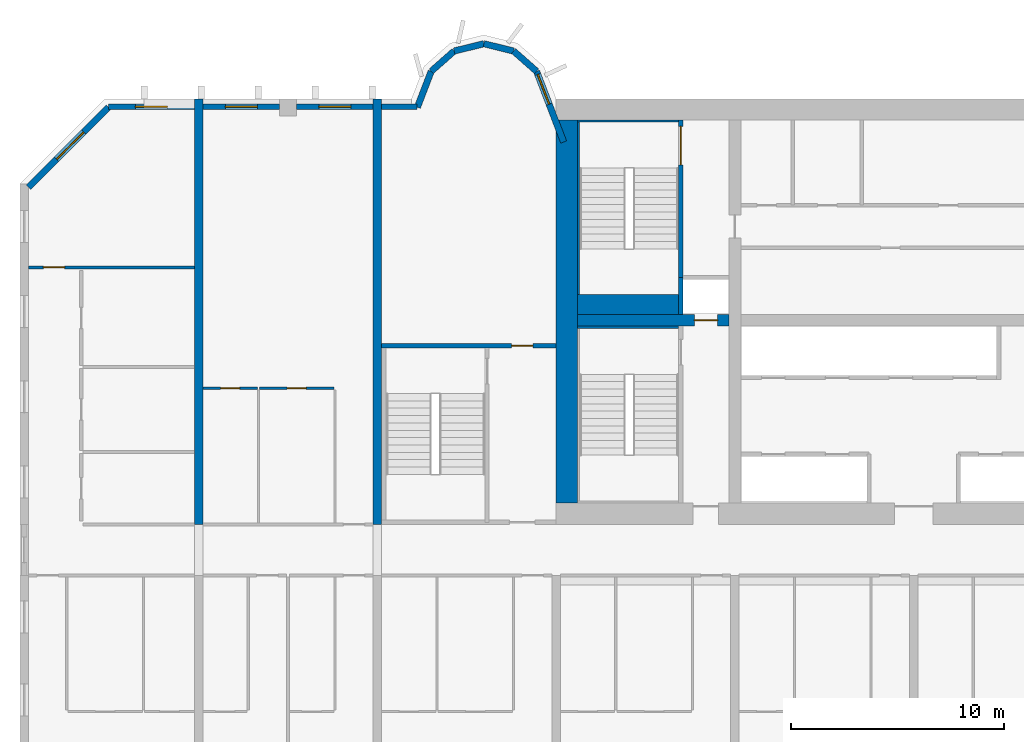
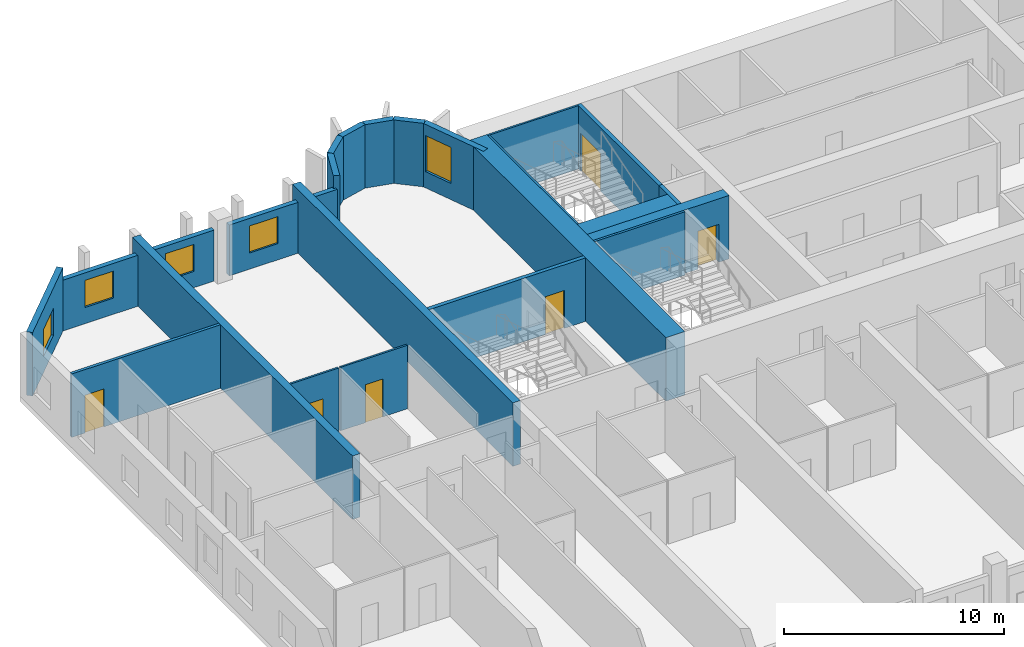
# One storey, part 6 of 15: 25 walls, 6 doors, 5 windows, 11 openings.
"""IFC4 building model written with IfcOpenShell, lengths in metres."""

import ifcopenshell
import ifcopenshell.guid

model = None  # the IFC model being written
_history = None  # IfcOwnerHistory: only IFC2X3 demands one
_inside = {}  # id of a spatial element -> (the spatial element, [elements in it])
_under = {}  # id of a project, library or spatial element -> (it, [spatial elements below it])
_declared = {}  # id of a project -> (the project, [libraries it declares])
_typed = {}  # id of a type object -> (the type object, [elements of that type])
_made_of = {}  # id of a material, layer set ... -> (it, [elements and type objects made of it])


def new_model(schema):
    """Start an empty IFC model of exactly this schema.

    Asked for "IFC4X3", IfcOpenShell would pick the latest addendum, in which some entities
    have other attributes; the version numbers below select the first issue.
    IFC2X3 requires an IfcOwnerHistory on every rooted entity: one is made here for all.
    """
    global model, _history
    if schema == "IFC4X3":
        model = ifcopenshell.file(schema_version=(4, 3, 0, 0))
    else:
        model = ifcopenshell.file(schema=schema)
    _inside.clear()
    _under.clear()
    _declared.clear()
    _typed.clear()
    _made_of.clear()
    _history = None
    if model.schema == "IFC2X3":
        org = make("IfcOrganization", Name="unknown")
        user = make(
            "IfcPersonAndOrganization",
            ThePerson=make("IfcPerson", FamilyName="unknown"),
            TheOrganization=org,
        )
        app = make(
            "IfcApplication",
            ApplicationDeveloper=org,
            Version="unknown",
            ApplicationFullName="unknown",
            ApplicationIdentifier="unknown",
        )
        _history = make(
            "IfcOwnerHistory",
            OwningUser=user,
            OwningApplication=app,
            ChangeAction="ADDED",
            CreationDate=0,
        )
    return model


def make(cls, **values):
    """One entity of the class cls with the attributes given. An attribute that is None is left unset."""
    return model.create_entity(
        cls, **{name: value for name, value in values.items() if value is not None}
    )


def rooted(cls, **values):
    """An entity with a GlobalId (a new one), such as an element, a storey or a relation."""
    return make(cls, GlobalId=ifcopenshell.guid.new(), OwnerHistory=_history, **values)


def si_unit(unit_type, name, prefix=None):
    """IfcSIUnit, for example si_unit("LENGTHUNIT", "METRE", prefix="MILLI")."""
    return make("IfcSIUnit", UnitType=unit_type, Prefix=prefix, Name=name)


def assignment(units):
    """IfcUnitAssignment: the units of a project."""
    return None if units is None else make("IfcUnitAssignment", Units=units)


def point(xyz):
    """IfcCartesianPoint."""
    return None if xyz is None else make("IfcCartesianPoint", Coordinates=xyz)


def direction(xyz):
    """IfcDirection."""
    return None if xyz is None else make("IfcDirection", DirectionRatios=xyz)


def frame(location, z_axis=None, x_axis=None):
    """IfcAxis2Placement3D, a coordinate frame: its origin and axes. An axis left out is left unset."""
    return make(
        "IfcAxis2Placement3D",
        Location=point(location),
        Axis=direction(z_axis),
        RefDirection=direction(x_axis),
    )


def frame_2d(location, x_axis=None):
    """IfcAxis2Placement2D, a coordinate frame in the plane: its origin and x axis."""
    return make(
        "IfcAxis2Placement2D", Location=point(location), RefDirection=direction(x_axis)
    )


def origin():
    """The frame at (0, 0, 0) with its axes left unset."""
    return frame((0.0, 0.0, 0.0))


def place(relative_to, where):
    """IfcLocalPlacement: puts the frame where relative to a parent placement (None: the world)."""
    return make(
        "IfcLocalPlacement", PlacementRelTo=relative_to, RelativePlacement=where
    )


def context(
    kind, dimensions, precision=None, world=None, true_north=None, identifier=None
):
    """IfcGeometricRepresentationContext, for example the 3D "Model" context."""
    return make(
        "IfcGeometricRepresentationContext",
        ContextIdentifier=identifier,
        ContextType=kind,
        CoordinateSpaceDimension=dimensions,
        Precision=precision,
        WorldCoordinateSystem=world,
        TrueNorth=true_north,
    )


def subcontext(parent, identifier, kind, view, scale=None):
    """IfcGeometricRepresentationSubContext, for example "Body" below "Model"."""
    return make(
        "IfcGeometricRepresentationSubContext",
        ContextIdentifier=identifier,
        ContextType=kind,
        ParentContext=parent,
        TargetScale=scale,
        TargetView=view,
    )


def project(units=None, contexts=None):
    """IfcProject with its units and contexts."""
    return rooted(
        "IfcProject",
        Name="project",
        RepresentationContexts=contexts,
        UnitsInContext=assignment(units),
    )


def spatial(cls, under=None, at=None, **own):
    """A site, building, storey or space (cls), placed at a placement, below another one or the project."""
    s = rooted(cls, ObjectPlacement=at, **own)
    if under is not None:
        _under.setdefault(under.id(), (under, []))[1].append(s)
    return s


def profile(cls, at=None, kind="AREA", **sizes):
    """A parametric profile (cls). Its sizes go by their IFC names, for example OverallWidth=200.0."""
    return make(cls, ProfileType=kind, Position=at, **sizes)


def rectangle(**sizes):
    """IfcRectangleProfileDef."""
    return profile("IfcRectangleProfileDef", **sizes)


def extrude(swept, where, along, depth):
    """IfcExtrudedAreaSolid: the profile swept, set in the frame where, extruded along a direction by depth."""
    return make(
        "IfcExtrudedAreaSolid",
        SweptArea=swept,
        Position=where,
        ExtrudedDirection=direction(along),
        Depth=depth,
    )


def shape(context_of_items, identifier, shape_type, items):
    """IfcShapeRepresentation: the items that make up one representation, for example the "Body"."""
    return make(
        "IfcShapeRepresentation",
        ContextOfItems=context_of_items,
        RepresentationIdentifier=identifier,
        RepresentationType=shape_type,
        Items=items,
    )


def source(mapping_origin, context_of_items, identifier, shape_type, items):
    """IfcRepresentationMap: a shape defined once, which mapped items show again and again."""
    return make(
        "IfcRepresentationMap",
        MappingOrigin=mapping_origin,
        MappedRepresentation=shape(context_of_items, identifier, shape_type, items),
    )


def transform(
    local_origin,
    x_axis=None,
    y_axis=None,
    z_axis=None,
    scale=None,
    scale2=None,
    scale3=None,
    uniform=True,
):
    """IfcCartesianTransformationOperator3D, or its non-uniform kind. x_axis, y_axis, z_axis: its Axis1, 2, 3."""
    if uniform:
        return make(
            "IfcCartesianTransformationOperator3D",
            Axis1=direction(x_axis),
            Axis2=direction(y_axis),
            LocalOrigin=point(local_origin),
            Scale=scale,
            Axis3=direction(z_axis),
        )
    return make(
        "IfcCartesianTransformationOperator3DnonUniform",
        Axis1=direction(x_axis),
        Axis2=direction(y_axis),
        LocalOrigin=point(local_origin),
        Scale=scale,
        Axis3=direction(z_axis),
        Scale2=scale2,
        Scale3=scale3,
    )


def mapped(mapping_source, mapping_target):
    """IfcMappedItem: shows the shape of a source again, moved by a transform."""
    return make(
        "IfcMappedItem", MappingSource=mapping_source, MappingTarget=mapping_target
    )


def material(Name=None, Category=None):
    """IfcMaterial."""
    return make("IfcMaterial", Name=Name, Category=Category)


def layer(
    of_material, thickness, ventilated=None, Name=None, Category=None, Priority=None
):
    """IfcMaterialLayer: one layer of a wall or slab, of a material (None: an air gap)."""
    return make(
        "IfcMaterialLayer",
        Material=of_material,
        LayerThickness=thickness,
        IsVentilated=ventilated,
        Name=Name,
        Category=Category,
        Priority=Priority,
    )


def layer_set(layers, Name=None):
    """IfcMaterialLayerSet."""
    return make("IfcMaterialLayerSet", MaterialLayers=layers, LayerSetName=Name)


def made_of(thing, what):
    """Note that an element or type object is made of a material, layer set ...; save() writes the relation."""
    if what is not None:
        _made_of.setdefault(what.id(), (what, []))[1].append(thing)
    return thing


def type_object(cls, material=None, **own):
    """A type object (cls), such as IfcWallType, which elements share."""
    return made_of(rooted(cls, **own), material)


def element(
    cls,
    number,
    at=None,
    inside=None,
    cuts=None,
    type_object=None,
    material=None,
    context=None,
    identifier="Body",
    shape_type=None,
    held_by="IfcProductDefinitionShape",
    body=None,
    shapes=None,
    **own,
):
    """One element of the class cls, such as IfcWall. Its Tag is "e" and its number.

    at: its placement. inside: the storey or other place that contains it. cuts: it is an
    opening in that element (IfcRelVoidsElement). A single representation is given by context,
    identifier, shape_type and body (its items); several are given by shapes. held_by: the class
    of the entity that holds the representations. save() writes the other relations.
    """
    e = rooted(cls, Tag="e%d" % number, ObjectPlacement=at, **own)
    if body is not None:
        shapes = [shape(context, identifier, shape_type, body)]
    if shapes is not None:
        e.Representation = make(held_by, Representations=shapes)
    if inside is not None:
        _inside.setdefault(inside.id(), (inside, []))[1].append(e)
    if cuts is not None:
        rooted(
            "IfcRelVoidsElement", RelatingBuildingElement=cuts, RelatedOpeningElement=e
        )
    if type_object is not None:
        _typed.setdefault(type_object.id(), (type_object, []))[1].append(e)
    return made_of(e, material)


def fill(opening, filler):
    """IfcRelFillsElement: the door or window that sits in an opening."""
    return rooted(
        "IfcRelFillsElement",
        RelatingOpeningElement=opening,
        RelatedBuildingElement=filler,
    )


def aggregate(whole, parts):
    """IfcRelAggregates: a whole, such as a stair, and the parts it consists of."""
    return rooted("IfcRelAggregates", RelatingObject=whole, RelatedObjects=parts)


def save(model, path):
    """Write the relations noted so far, then the file.

    IfcRelAggregates (storeys below a building ...), IfcRelContainedInSpatialStructure (elements
    in a storey), IfcRelDefinesByType, IfcRelAssociatesMaterial and IfcRelDeclares: one each for
    every whole, place, type object, material and project.
    """
    for whole, parts in _under.values():
        aggregate(whole, parts)
    for where, things in _inside.values():
        rooted(
            "IfcRelContainedInSpatialStructure",
            RelatedElements=things,
            RelatingStructure=where,
        )
    for kind, things in _typed.values():
        rooted("IfcRelDefinesByType", RelatedObjects=things, RelatingType=kind)
    for what, things in _made_of.values():
        rooted("IfcRelAssociatesMaterial", RelatedObjects=things, RelatingMaterial=what)
    for by, libraries in _declared.values():
        rooted("IfcRelDeclares", RelatingContext=by, RelatedDefinitions=libraries)
    model.write(path)


model = new_model("IFC4")

# Units and contexts
model_context = context("Model", 3, precision=1e-05, world=origin(), true_north=direction((0.0, 1.0)))
body_context = subcontext(model_context, "Body", "Model", "MODEL_VIEW")
ifc_project = project(units=[si_unit("LENGTHUNIT", "METRE"), si_unit("AREAUNIT", "SQUARE_METRE"), si_unit("VOLUMEUNIT", "CUBIC_METRE"), si_unit("PLANEANGLEUNIT", "RADIAN"), si_unit("MASSUNIT", "GRAM", prefix="KILO")], contexts=[model_context])

# Site, building, storey
site_placement = place(None, origin())
site = spatial("IfcSite", under=ifc_project, at=site_placement, CompositionType="ELEMENT")
building_placement = place(site_placement, origin())
building = spatial("IfcBuilding", under=site, at=building_placement, Name="Vanashikhar Sky Hotel", CompositionType="ELEMENT")
storey_placement = place(building_placement, frame((0.0, 0.0, 46.800048828125)))
storey = spatial("IfcBuildingStorey", under=building, at=storey_placement, Name="L10", CompositionType="ELEMENT", Elevation=46.800048828125)

# Wall
ifc_material_1 = material(Name="Concrete M80", Category="concrete")
ifc_layer_1 = layer(ifc_material_1, 1.0)
ifc_layer_set_1 = layer_set([ifc_layer_1], Name="RC core shell wall 1000 Concrete M80")
wall_type_1 = type_object("IfcWallType", Name="RC core shell wall 1000 Concrete M80", PredefinedType="SHEAR", material=ifc_layer_set_1)
shared_shape_1 = source(origin(), body_context, "Body", "SweptSolid", [
    extrude(rectangle(XDim=18.0, YDim=1.0, at=frame_2d((9.0, 0.0))), origin(), (0.0, 0.0, 1.0), 3.52001953125),
])
wall_1_placement = place(storey_placement, frame((25.699951171875, 23.0, 0.0), z_axis=(0.0, 0.0, 1.0), x_axis=(0.0, 1.0, 0.0)))
element("IfcWall", 1, at=wall_1_placement, inside=storey, type_object=wall_type_1, Name="KW-L10-KW", PredefinedType="SHEAR", context=body_context, shape_type="MappedRepresentation", body=[
    mapped(shared_shape_1, transform((0.0, 0.0, 0.0), scale=1.0)),
])

# Wall, opening, door
ifc_layer_2 = layer(ifc_material_1, 0.550048828125)
ifc_layer_set_2 = layer_set([ifc_layer_2], Name="RC core inner wall 550 Concrete M80")
wall_type_2 = type_object("IfcWallType", Name="RC core inner wall 550 Concrete M80", PredefinedType="SHEAR", material=ifc_layer_set_2)
shared_shape_2 = source(origin(), body_context, "Body", "SweptSolid", [
    extrude(rectangle(XDim=7.125, YDim=0.550048828125, at=frame_2d((3.5625, 0.0))), origin(), (0.0, 0.0, 1.0), 3.52001953125),
])
wall_2_placement = place(storey_placement, frame((26.199951171875, 31.60009765625, 0.0), z_axis=(0.0, 0.0, 1.0), x_axis=(1.0, 0.0, 0.0)))
wall_2 = element("IfcWall", 2, at=wall_2_placement, inside=storey, type_object=wall_type_2, Name="KW-L10-KY1", PredefinedType="SHEAR", context=body_context, shape_type="MappedRepresentation", body=[
    mapped(shared_shape_2, transform((0.0, 0.0, 0.0), scale=1.0)),
])
shared_shape_3 = source(origin(), body_context, "Body", "SweptSolid", [
    extrude(rectangle(XDim=1.10009765625, YDim=2.10009765625, at=frame_2d((0.550048828125, 1.050048828125))), frame((0.0, 0.28515625, 0.0), z_axis=(0.0, -1.0, 0.0), x_axis=(1.0, 0.0, 0.0)), (0.0, 0.0, 1.0), 0.570068359375),
])
opening_1_placement = place(wall_2_placement, frame((5.488037109375, 0.0, 0.0)))
opening_1 = element("IfcOpeningElement", 3, at=opening_1_placement, cuts=wall_2, Name="Opening LD", PredefinedType="OPENING", context=body_context, shape_type="MappedRepresentation", body=[
    mapped(shared_shape_3, transform((0.0, 0.0, 0.0), scale=1.0)),
])
ifc_material_2 = material(Name="Stainless steel", Category="steel")
door_type_1 = type_object("IfcDoorType", Name="Lift landing door 1100", OperationType="NOTDEFINED", PredefinedType="DOOR", material=ifc_material_2)
shared_shape_4 = source(origin(), body_context, "Body", "SweptSolid", [
    extrude(rectangle(XDim=1.10009765625, YDim=2.10009765625, at=frame_2d((0.550048828125, 1.050048828125))), frame((0.0, 0.02490234375, 0.0), z_axis=(0.0, -1.0, 0.0), x_axis=(1.0, 0.0, 0.0)), (0.0, 0.0, 1.0), 0.050048828125),
])
door_1_placement = place(opening_1_placement, origin())
door_1 = element("IfcDoor", 4, at=door_1_placement, inside=storey, type_object=door_type_1, Name="Lift landing door 1100", OperationType="SLIDING_TO_LEFT", OverallHeight=2.10009765625, OverallWidth=1.10009765625, PredefinedType="DOOR", context=body_context, shape_type="MappedRepresentation", body=[
    mapped(shared_shape_4, transform((0.0, 0.0, 0.0), scale=1.0)),
])
fill(opening_1, door_1)

# Walls
ifc_layer_3 = layer(ifc_material_1, 0.39990234375)
ifc_layer_set_3 = layer_set([ifc_layer_3], Name="RC shear wall 400 Concrete M80")
wall_type_3 = type_object("IfcWallType", Name="RC shear wall 400 Concrete M80", PredefinedType="SHEAR", material=ifc_layer_set_3)
shared_shape_5 = source(origin(), body_context, "Body", "SweptSolid", [
    extrude(rectangle(XDim=20.0, YDim=0.39990234375, at=frame_2d((10.0, 0.0))), origin(), (0.0, 0.0, 1.0), 3.52001953125),
])
for number, where, z_axis, x_axis, name in (
    (5, (8.39990234375, 22.0, 0.0), (0.0, 0.0, 1.0), (0.0, 1.0, 0.0), "CW-L10-XW02-2"),
    (6, (16.800048828125, 22.0, 0.0), (0.0, 0.0, 1.0), (0.0, 1.0, 0.0), "CW-L10-XW03-2"),
):
    element("IfcWall", number, at=place(storey_placement, frame(where, z_axis=z_axis, x_axis=x_axis)), inside=storey, type_object=wall_type_3, Name=name, PredefinedType="SHEAR", context=body_context, shape_type="MappedRepresentation", body=[
        mapped(shared_shape_5, transform((0.0, 0.0, 0.0), scale=1.0)),
    ])

# Wall, opening, window
ifc_material_3 = material(Name="Concrete M50", Category="concrete")
ifc_layer_4 = layer(ifc_material_3, 0.300048828125)
ifc_layer_set_4 = layer_set([ifc_layer_4], Name="Lobe wall 300")
wall_type_4 = type_object("IfcWallType", Name="Lobe wall 300", PredefinedType="SOLIDWALL", material=ifc_layer_set_4)
shared_shape_6 = source(origin(), body_context, "Body", "SweptSolid", [
    extrude(rectangle(XDim=5.32568359375, YDim=0.300048828125, at=frame_2d((2.662841796875, 0.0))), origin(), (0.0, 0.0, 1.0), 3.52001953125),
])
wall_3_placement = place(storey_placement, frame((4.165771484375, 41.60009765625, 0.0), z_axis=(0.0, 0.0, 1.0), x_axis=(-0.707106781187, -0.707106781187, 0.0)))
wall_3 = element("IfcWall", 7, at=wall_3_placement, inside=storey, type_object=wall_type_4, Name="Corner wall", PredefinedType="SOLIDWALL", context=body_context, shape_type="MappedRepresentation", body=[
    mapped(shared_shape_6, transform((0.0, 0.0, 0.0), scale=1.0)),
])
shared_shape_7 = source(origin(), body_context, "Body", "SweptSolid", [
    extrude(rectangle(XDim=1.800048828125, YDim=1.5, at=frame_2d((0.89990234375, 0.75))), frame((0.0, 0.16015625, 0.0), z_axis=(0.0, -1.0, 0.0), x_axis=(1.0, 0.0, 0.0)), (0.0, 0.0, 1.0), 0.320068359375),
])
opening_2_placement = place(wall_3_placement, frame((1.654296875, 0.0, 0.89990234375)))
opening_2 = element("IfcOpeningElement", 8, at=opening_2_placement, cuts=wall_3, Name="Opening WN-4", PredefinedType="OPENING", context=body_context, shape_type="MappedRepresentation", body=[
    mapped(shared_shape_7, transform((0.0, 0.0, 0.0), scale=1.0)),
])
ifc_material_4 = material(Name="Glass", Category="glass")
window_type_1 = type_object("IfcWindowType", Name="Corner window 1800 x 1500", PartitioningType="SINGLE_PANEL", PredefinedType="WINDOW", material=ifc_material_4)
shared_shape_8 = source(origin(), body_context, "Body", "SweptSolid", [
    extrude(rectangle(XDim=1.800048828125, YDim=1.5, at=frame_2d((0.89990234375, 0.75))), frame((0.0, 0.030029296875, 0.0), z_axis=(0.0, -1.0, 0.0), x_axis=(1.0, 0.0, 0.0)), (0.0, 0.0, 1.0), 0.06005859375),
])
window_1_placement = place(opening_2_placement, origin())
window_1 = element("IfcWindow", 9, at=window_1_placement, inside=storey, type_object=window_type_1, Name="Window WN-4", OverallHeight=1.5, OverallWidth=1.800048828125, PartitioningType="SINGLE_PANEL", PredefinedType="WINDOW", context=body_context, shape_type="MappedRepresentation", body=[
    mapped(shared_shape_8, transform((0.0, 0.0, 0.0), scale=1.0)),
])
fill(opening_2, window_1)

shared_shape_9 = source(origin(), body_context, "Body", "SweptSolid", [
    extrude(rectangle(XDim=3.55908203125, YDim=0.300048828125, at=frame_2d((1.779541015625, 0.0))), origin(), (0.0, 0.0, 1.0), 3.52001953125),
])
wall_4_placement = place(storey_placement, frame((25.550048828125, 39.968505859375, 0.0), z_axis=(0.0, 0.0, 1.0), x_axis=(-0.35779745313, 0.933799219604, 0.0)))
wall_4 = element("IfcWall", 10, at=wall_4_placement, inside=storey, type_object=wall_type_4, Name="Lobe wall", PredefinedType="SOLIDWALL", context=body_context, shape_type="MappedRepresentation", body=[
    mapped(shared_shape_9, transform((0.0, 0.0, 0.0), scale=1.0)),
])
shared_shape_10 = source(origin(), body_context, "Body", "SweptSolid", [
    extrude(rectangle(XDim=1.5, YDim=2.0, at=frame_2d((0.75, 1.0))), frame((0.0, 0.16015625, 0.0), z_axis=(0.0, -1.0, 0.0), x_axis=(1.0, 0.0, 0.0)), (0.0, 0.0, 1.0), 0.320068359375),
])
opening_3_placement = place(wall_4_placement, frame((1.9033203125, 0.0, 0.89990234375)))
opening_3 = element("IfcOpeningElement", 11, at=opening_3_placement, cuts=wall_4, Name="Opening WN-2", PredefinedType="OPENING", context=body_context, shape_type="MappedRepresentation", body=[
    mapped(shared_shape_10, transform((0.0, 0.0, 0.0), scale=1.0)),
])
window_type_2 = type_object("IfcWindowType", Name="Lobe window 1500 x 2000", PartitioningType="SINGLE_PANEL", PredefinedType="WINDOW", material=ifc_material_4)
shared_shape_11 = source(origin(), body_context, "Body", "SweptSolid", [
    extrude(rectangle(XDim=1.5, YDim=2.0, at=frame_2d((0.75, 1.0))), frame((0.0, 0.030029296875, 0.0), z_axis=(0.0, -1.0, 0.0), x_axis=(1.0, 0.0, 0.0)), (0.0, 0.0, 1.0), 0.06005859375),
])
window_2_placement = place(opening_3_placement, origin())
window_2 = element("IfcWindow", 12, at=window_2_placement, inside=storey, type_object=window_type_2, Name="Window WN-2", OverallHeight=2.0, OverallWidth=1.5, PartitioningType="SINGLE_PANEL", PredefinedType="WINDOW", context=body_context, shape_type="MappedRepresentation", body=[
    mapped(shared_shape_11, transform((0.0, 0.0, 0.0), scale=1.0)),
])
fill(opening_3, window_2)

# Walls
shared_shape_12 = source(origin(), body_context, "Body", "SweptSolid", [
    extrude(rectangle(XDim=1.440185546875, YDim=0.300048828125, at=frame_2d((0.72021484375, 0.0))), origin(), (0.0, 0.0, 1.0), 3.52001953125),
])
wall_5_placement = place(storey_placement, frame((24.276611328125, 43.2919921875, 0.0), z_axis=(0.0, 0.0, 1.0), x_axis=(-0.749649827867, 0.661834673902, 0.0)))
element("IfcWall", 13, at=wall_5_placement, inside=storey, type_object=wall_type_4, Name="Lobe wall", PredefinedType="SOLIDWALL", context=body_context, shape_type="MappedRepresentation", body=[
    mapped(shared_shape_12, transform((0.0, 0.0, 0.0), scale=1.0)),
])
shared_shape_13 = source(origin(), body_context, "Body", "SweptSolid", [
    extrude(rectangle(XDim=1.4384765625, YDim=0.300048828125, at=frame_2d((0.71923828125, 0.0))), origin(), (0.0, 0.0, 1.0), 3.52001953125),
])
wall_6_placement = place(storey_placement, frame((23.197021484375, 44.2451171875, 0.0), z_axis=(0.0, 0.0, 1.0), x_axis=(-0.971152283879, 0.238460146601, 0.0)))
element("IfcWall", 14, at=wall_6_placement, inside=storey, type_object=wall_type_4, Name="Lobe wall", PredefinedType="SOLIDWALL", context=body_context, shape_type="MappedRepresentation", body=[
    mapped(shared_shape_13, transform((0.0, 0.0, 0.0), scale=1.0)),
])
shared_shape_14 = source(origin(), body_context, "Body", "SweptSolid", [
    extrude(rectangle(XDim=1.438720703125, YDim=0.300048828125, at=frame_2d((0.71923828125, 0.0))), origin(), (0.0, 0.0, 1.0), 3.52001953125),
])
wall_7_placement = place(storey_placement, frame((21.800048828125, 44.588134765625, 0.0), z_axis=(0.0, 0.0, 1.0), x_axis=(-0.971161932466, -0.238420848351, 0.0)))
element("IfcWall", 15, at=wall_7_placement, inside=storey, type_object=wall_type_4, Name="Lobe wall", PredefinedType="SOLIDWALL", context=body_context, shape_type="MappedRepresentation", body=[
    mapped(shared_shape_14, transform((0.0, 0.0, 0.0), scale=1.0)),
])
shared_shape_15 = source(origin(), body_context, "Body", "SweptSolid", [
    extrude(rectangle(XDim=1.43994140625, YDim=0.300048828125, at=frame_2d((0.719970703125, 0.0))), origin(), (0.0, 0.0, 1.0), 3.52001953125),
])
wall_8_placement = place(storey_placement, frame((20.40283203125, 44.2451171875, 0.0), z_axis=(0.0, 0.0, 1.0), x_axis=(-0.74957555648, -0.661918790432, 0.0)))
element("IfcWall", 16, at=wall_8_placement, inside=storey, type_object=wall_type_4, Name="Lobe wall", PredefinedType="SOLIDWALL", context=body_context, shape_type="MappedRepresentation", body=[
    mapped(shared_shape_15, transform((0.0, 0.0, 0.0), scale=1.0)),
])
shared_shape_16 = source(origin(), body_context, "Body", "SweptSolid", [
    extrude(rectangle(XDim=1.81201171875, YDim=0.300048828125, at=frame_2d((0.906005859375, 0.0))), origin(), (0.0, 0.0, 1.0), 3.52001953125),
])
wall_9_placement = place(storey_placement, frame((19.323486328125, 43.2919921875, 0.0), z_axis=(0.0, 0.0, 1.0), x_axis=(-0.357877270961, -0.93376863244, 0.0)))
element("IfcWall", 17, at=wall_9_placement, inside=storey, type_object=wall_type_4, Name="Lobe wall", PredefinedType="SOLIDWALL", context=body_context, shape_type="MappedRepresentation", body=[
    mapped(shared_shape_16, transform((0.0, 0.0, 0.0), scale=1.0)),
])
ifc_layer_5 = layer(ifc_material_3, 0.25)
ifc_layer_set_5 = layer_set([ifc_layer_5], Name="Rear and end board-marked wall 250")
wall_type_5 = type_object("IfcWallType", Name="Rear and end board-marked wall 250", PredefinedType="SOLIDWALL", material=ifc_layer_set_5)
shared_shape_17 = source(origin(), body_context, "Body", "SweptSolid", [
    extrude(rectangle(XDim=1.657958984375, YDim=0.25, at=frame_2d((0.8291015625, 0.0))), origin(), (0.0, 0.0, 1.0), 2.820068359375),
])
wall_10_placement = place(storey_placement, frame((18.657958984375, 41.625, 0.0), z_axis=(0.0, 0.0, 1.0), x_axis=(-1.0, 0.0, 0.0)))
element("IfcWall", 18, at=wall_10_placement, inside=storey, type_object=wall_type_5, Name="Rear board-marked wall", PredefinedType="SOLIDWALL", context=body_context, shape_type="MappedRepresentation", body=[
    mapped(shared_shape_17, transform((0.0, 0.0, 0.0), scale=1.0)),
])

# Wall, opening, window
shared_shape_18 = source(origin(), body_context, "Body", "SweptSolid", [
    extrude(rectangle(XDim=3.60009765625, YDim=0.25, at=frame_2d((1.800048828125, 0.0))), origin(), (0.0, 0.0, 1.0), 2.820068359375),
])
wall_11_placement = place(storey_placement, frame((16.60009765625, 41.625, 0.0), z_axis=(0.0, 0.0, 1.0), x_axis=(-1.0, 0.0, 0.0)))
wall_11 = element("IfcWall", 19, at=wall_11_placement, inside=storey, type_object=wall_type_5, Name="Rear board-marked wall", PredefinedType="SOLIDWALL", context=body_context, shape_type="MappedRepresentation", body=[
    mapped(shared_shape_18, transform((0.0, 0.0, 0.0), scale=1.0)),
])
shared_shape_19 = source(origin(), body_context, "Body", "SweptSolid", [
    extrude(rectangle(XDim=1.5, YDim=1.5, at=frame_2d((0.75, 0.75))), frame((0.0, 0.135009765625, 0.0), z_axis=(0.0, -1.0, 0.0), x_axis=(1.0, 0.0, 0.0)), (0.0, 0.0, 1.0), 0.27001953125),
])
opening_4_placement = place(wall_11_placement, frame((1.050048828125, 0.0, 0.89990234375)))
opening_4 = element("IfcOpeningElement", 20, at=opening_4_placement, cuts=wall_11, Name="Opening WN-1", PredefinedType="OPENING", context=body_context, shape_type="MappedRepresentation", body=[
    mapped(shared_shape_19, transform((0.0, 0.0, 0.0), scale=1.0)),
])
window_type_3 = type_object("IfcWindowType", Name="Window 1500 x 1500", PartitioningType="SINGLE_PANEL", PredefinedType="WINDOW", material=ifc_material_4)
shared_shape_20 = source(origin(), body_context, "Body", "SweptSolid", [
    extrude(rectangle(XDim=1.5, YDim=1.5, at=frame_2d((0.75, 0.75))), frame((0.0, 0.030029296875, 0.0), z_axis=(0.0, -1.0, 0.0), x_axis=(1.0, 0.0, 0.0)), (0.0, 0.0, 1.0), 0.06005859375),
])
window_3_placement = place(opening_4_placement, origin())
window_3 = element("IfcWindow", 21, at=window_3_placement, inside=storey, type_object=window_type_3, Name="Window WN-1", OverallHeight=1.5, OverallWidth=1.5, PartitioningType="SINGLE_PANEL", PredefinedType="WINDOW", context=body_context, shape_type="MappedRepresentation", body=[
    mapped(shared_shape_20, transform((0.0, 0.0, 0.0), scale=1.0)),
])
fill(opening_4, window_3)

shared_shape_21 = source(origin(), body_context, "Body", "SweptSolid", [
    extrude(rectangle(XDim=3.599853515625, YDim=0.25, at=frame_2d((1.7998046875, 0.0))), origin(), (0.0, 0.0, 1.0), 2.820068359375),
])
wall_12_placement = place(storey_placement, frame((12.199951171875, 41.625, 0.0), z_axis=(0.0, 0.0, 1.0), x_axis=(-1.0, 0.0, 0.0)))
wall_12 = element("IfcWall", 22, at=wall_12_placement, inside=storey, type_object=wall_type_5, Name="Rear board-marked wall", PredefinedType="SOLIDWALL", context=body_context, shape_type="MappedRepresentation", body=[
    mapped(shared_shape_21, transform((0.0, 0.0, 0.0), scale=1.0)),
])
opening_5_placement = place(wall_12_placement, frame((1.050048828125, 0.0, 0.89990234375)))
opening_5 = element("IfcOpeningElement", 23, at=opening_5_placement, cuts=wall_12, Name="Opening WN-1", PredefinedType="OPENING", context=body_context, shape_type="MappedRepresentation", body=[
    mapped(shared_shape_19, transform((0.0, 0.0, 0.0), scale=1.0)),
])
window_4_placement = place(opening_5_placement, origin())
window_4 = element("IfcWindow", 24, at=window_4_placement, inside=storey, type_object=window_type_3, Name="Window WN-1", OverallHeight=1.5, OverallWidth=1.5, PartitioningType="SINGLE_PANEL", PredefinedType="WINDOW", context=body_context, shape_type="MappedRepresentation", body=[
    mapped(shared_shape_20, transform((0.0, 0.0, 0.0), scale=1.0)),
])
fill(opening_5, window_4)

shared_shape_22 = source(origin(), body_context, "Body", "SweptSolid", [
    extrude(rectangle(XDim=4.044677734375, YDim=0.25, at=frame_2d((2.0224609375, 0.0))), origin(), (0.0, 0.0, 1.0), 2.820068359375),
])
wall_13_placement = place(storey_placement, frame((8.199951171875, 41.625, 0.0), z_axis=(0.0, 0.0, 1.0), x_axis=(-1.0, 0.0, 0.0)))
wall_13 = element("IfcWall", 25, at=wall_13_placement, inside=storey, type_object=wall_type_5, Name="Rear board-marked wall", PredefinedType="SOLIDWALL", context=body_context, shape_type="MappedRepresentation", body=[
    mapped(shared_shape_22, transform((0.0, 0.0, 0.0), scale=1.0)),
])
opening_6_placement = place(wall_13_placement, frame((1.2724609375, 0.0, 0.89990234375)))
opening_6 = element("IfcOpeningElement", 26, at=opening_6_placement, cuts=wall_13, Name="Opening WN-1", PredefinedType="OPENING", context=body_context, shape_type="MappedRepresentation", body=[
    mapped(shared_shape_19, transform((0.0, 0.0, 0.0), scale=1.0)),
])
window_5_placement = place(opening_6_placement, origin())
window_5 = element("IfcWindow", 27, at=window_5_placement, inside=storey, type_object=window_type_3, Name="Window WN-1", OverallHeight=1.5, OverallWidth=1.5, PartitioningType="SINGLE_PANEL", PredefinedType="WINDOW", context=body_context, shape_type="MappedRepresentation", body=[
    mapped(shared_shape_20, transform((0.0, 0.0, 0.0), scale=1.0)),
])
fill(opening_6, window_5)

# Wall, opening, door
ifc_layer_6 = layer(ifc_material_3, 0.199951171875)
ifc_layer_set_6 = layer_set([ifc_layer_6], Name="Stair wall 200")
wall_type_6 = type_object("IfcWallType", Name="Stair wall 200", PredefinedType="SOLIDWALL", material=ifc_layer_set_6)
shared_shape_23 = source(origin(), body_context, "Body", "SweptSolid", [
    extrude(rectangle(XDim=8.199951171875, YDim=0.199951171875, at=frame_2d((4.10009765625, 0.0))), origin(), (0.0, 0.0, 1.0), 3.52001953125),
])
wall_14_placement = place(storey_placement, frame((17.0, 30.39990234375, 0.0), z_axis=(0.0, 0.0, 1.0), x_axis=(1.0, 0.0, 0.0)))
wall_14 = element("IfcWall", 28, at=wall_14_placement, inside=storey, type_object=wall_type_6, Name="Stair wall 200", PredefinedType="SOLIDWALL", context=body_context, shape_type="MappedRepresentation", body=[
    mapped(shared_shape_23, transform((0.0, 0.0, 0.0), scale=1.0)),
])
shared_shape_24 = source(origin(), body_context, "Body", "SweptSolid", [
    extrude(rectangle(XDim=1.0, YDim=2.10009765625, at=frame_2d((0.5, 1.050048828125))), frame((0.0, 0.10986328125, 0.0), z_axis=(0.0, -1.0, 0.0), x_axis=(1.0, 0.0, 0.0)), (0.0, 0.0, 1.0), 0.219970703125),
])
opening_7_placement = place(wall_14_placement, frame((6.10009765625, 0.0, 0.0)))
opening_7 = element("IfcOpeningElement", 29, at=opening_7_placement, cuts=wall_14, Name="Opening DC-6", PredefinedType="OPENING", context=body_context, shape_type="MappedRepresentation", body=[
    mapped(shared_shape_24, transform((0.0, 0.0, 0.0), scale=1.0)),
])
ifc_material_5 = material(Name="Steel", Category="steel")
door_type_2 = type_object("IfcDoorType", Name="Pocket door 1000 FD60", OperationType="NOTDEFINED", PredefinedType="DOOR", material=ifc_material_5)
shared_shape_25 = source(origin(), body_context, "Body", "SweptSolid", [
    extrude(rectangle(XDim=1.0, YDim=2.10009765625, at=frame_2d((0.5, 1.050048828125))), frame((0.0, 0.02490234375, 0.0), z_axis=(0.0, -1.0, 0.0), x_axis=(1.0, 0.0, 0.0)), (0.0, 0.0, 1.0), 0.050048828125),
])
door_2_placement = place(opening_7_placement, origin())
door_2 = element("IfcDoor", 30, at=door_2_placement, inside=storey, type_object=door_type_2, Name="Pocket door 1000 FD60", OperationType="SINGLE_SWING_RIGHT", OverallHeight=2.10009765625, OverallWidth=1.0, PredefinedType="DOOR", context=body_context, shape_type="MappedRepresentation", body=[
    mapped(shared_shape_25, transform((0.0, 0.0, 0.0), scale=1.0)),
])
fill(opening_7, door_2)

# Walls
ifc_layer_7 = layer(ifc_material_3, 0.10009765625)
ifc_layer_set_7 = layer_set([ifc_layer_7], Name="Stair infill wall 100")
wall_type_7 = type_object("IfcWallType", Name="Stair infill wall 100", PredefinedType="SOLIDWALL", material=ifc_layer_set_7)
shared_shape_26 = source(origin(), body_context, "Body", "SweptSolid", [
    extrude(rectangle(XDim=4.75, YDim=0.10009765625, at=frame_2d((2.375, 0.0))), origin(), (0.0, 0.0, 1.0), 3.52001953125),
])
wall_15_placement = place(storey_placement, frame((26.199951171875, 40.949951171875, 0.0), z_axis=(0.0, 0.0, 1.0), x_axis=(1.0, 0.0, 0.0)))
element("IfcWall", 31, at=wall_15_placement, inside=storey, type_object=wall_type_7, Name="Stair infill wall 100", PredefinedType="SOLIDWALL", context=body_context, shape_type="MappedRepresentation", body=[
    mapped(shared_shape_26, transform((0.0, 0.0, 0.0), scale=1.0)),
])
shared_shape_27 = source(origin(), body_context, "Body", "SweptSolid", [
    extrude(rectangle(XDim=8.099853515625, YDim=0.10009765625, at=frame_2d((4.0498046875, 0.0))), origin(), (0.0, 0.0, 1.0), 3.52001953125),
])
wall_16_placement = place(storey_placement, frame((26.25, 32.800048828125, 0.0), z_axis=(0.0, 0.0, 1.0), x_axis=(0.0, 1.0, 0.0)))
element("IfcWall", 32, at=wall_16_placement, inside=storey, type_object=wall_type_7, Name="Stair infill wall 100", PredefinedType="SOLIDWALL", context=body_context, shape_type="MappedRepresentation", body=[
    mapped(shared_shape_27, transform((0.0, 0.0, 0.0), scale=1.0)),
])
ifc_material_6 = material(Name="Concrete M40", Category="concrete")
ifc_layer_8 = layer(ifc_material_6, 0.199951171875)
ifc_layer_set_8 = layer_set([ifc_layer_8], Name="Shaft wall 200")
wall_type_8 = type_object("IfcWallType", Name="Shaft wall 200", PredefinedType="SOLIDWALL", material=ifc_layer_set_8)
shared_shape_28 = source(origin(), body_context, "Body", "SweptSolid", [
    extrude(rectangle(XDim=1.72509765625, YDim=0.199951171875, at=frame_2d((0.862548828125, 0.0))), origin(), (0.0, 0.0, 1.0), 3.52001953125),
])
wall_17_placement = place(storey_placement, frame((31.050048828125, 31.875, 0.0), z_axis=(0.0, 0.0, 1.0), x_axis=(0.0, 1.0, 0.0)))
element("IfcWall", 33, at=wall_17_placement, inside=storey, type_object=wall_type_8, Name="Shaft wall 200", PredefinedType="SOLIDWALL", context=body_context, shape_type="MappedRepresentation", body=[
    mapped(shared_shape_28, transform((0.0, 0.0, 0.0), scale=1.0)),
])

# Wall, opening, door
shared_shape_29 = source(origin(), body_context, "Body", "SweptSolid", [
    extrude(rectangle(XDim=7.39990234375, YDim=0.199951171875, at=frame_2d((3.699951171875, 0.0))), origin(), (0.0, 0.0, 1.0), 3.52001953125),
])
wall_18_placement = place(storey_placement, frame((31.050048828125, 33.60009765625, 0.0), z_axis=(0.0, 0.0, 1.0), x_axis=(0.0, 1.0, 0.0)))
wall_18 = element("IfcWall", 34, at=wall_18_placement, inside=storey, type_object=wall_type_6, Name="Stair wall 200", PredefinedType="SOLIDWALL", context=body_context, shape_type="MappedRepresentation", body=[
    mapped(shared_shape_29, transform((0.0, 0.0, 0.0), scale=1.0)),
])
shared_shape_30 = source(origin(), body_context, "Body", "SweptSolid", [
    extrude(rectangle(XDim=1.800048828125, YDim=2.10009765625, at=frame_2d((0.89990234375, 1.050048828125))), frame((0.0, 0.10986328125, 0.0), z_axis=(0.0, -1.0, 0.0), x_axis=(1.0, 0.0, 0.0)), (0.0, 0.0, 1.0), 0.219970703125),
])
opening_8_placement = place(wall_18_placement, frame((5.300048828125, 0.0, 0.0)))
opening_8 = element("IfcOpeningElement", 35, at=opening_8_placement, cuts=wall_18, Name="Opening DC-1-A", PredefinedType="OPENING", context=body_context, shape_type="MappedRepresentation", body=[
    mapped(shared_shape_30, transform((0.0, 0.0, 0.0), scale=1.0)),
])
door_type_3 = type_object("IfcDoorType", Name="Stair door 1800 FD120", OperationType="NOTDEFINED", PredefinedType="DOOR", material=ifc_material_5)
shared_shape_31 = source(origin(), body_context, "Body", "SweptSolid", [
    extrude(rectangle(XDim=1.800048828125, YDim=2.10009765625, at=frame_2d((0.89990234375, 1.050048828125))), frame((0.0, 0.02490234375, 0.0), z_axis=(0.0, -1.0, 0.0), x_axis=(1.0, 0.0, 0.0)), (0.0, 0.0, 1.0), 0.050048828125),
])
door_3_placement = place(opening_8_placement, origin())
door_3 = element("IfcDoor", 36, at=door_3_placement, inside=storey, type_object=door_type_3, Name="Stair door 1800 FD120", OperationType="SINGLE_SWING_RIGHT", OverallHeight=2.10009765625, OverallWidth=1.800048828125, PredefinedType="DOOR", context=body_context, shape_type="MappedRepresentation", body=[
    mapped(shared_shape_31, transform((0.0, 0.0, 0.0), scale=1.0)),
])
fill(opening_8, door_3)

# Walls
ifc_layer_9 = layer(ifc_material_3, 0.125)
ifc_layer_set_9 = layer_set([ifc_layer_9], Name="Stair infill wall 125")
wall_type_9 = type_object("IfcWallType", Name="Stair infill wall 125", PredefinedType="SOLIDWALL", material=ifc_layer_set_9)
shared_shape_32 = source(origin(), body_context, "Body", "SweptSolid", [
    extrude(rectangle(XDim=4.75, YDim=0.125, at=frame_2d((2.375, 0.0))), origin(), (0.0, 0.0, 1.0), 3.52001953125),
])
wall_19_placement = place(storey_placement, frame((26.199951171875, 31.261962890625, 0.0), z_axis=(0.0, 0.0, 1.0), x_axis=(1.0, 0.0, 0.0)))
element("IfcWall", 37, at=wall_19_placement, inside=storey, type_object=wall_type_9, Name="Stair infill wall 125", PredefinedType="SOLIDWALL", context=body_context, shape_type="MappedRepresentation", body=[
    mapped(shared_shape_32, transform((0.0, 0.0, 0.0), scale=1.0)),
])
ifc_layer_10 = layer(ifc_material_3, 0.925048828125)
ifc_layer_set_10 = layer_set([ifc_layer_10], Name="Stair infill wall 925")
wall_type_10 = type_object("IfcWallType", Name="Stair infill wall 925", PredefinedType="SOLIDWALL", material=ifc_layer_set_10)
shared_shape_33 = source(origin(), body_context, "Body", "SweptSolid", [
    extrude(rectangle(XDim=4.75, YDim=0.925048828125, at=frame_2d((2.375, 0.0))), origin(), (0.0, 0.0, 1.0), 3.52001953125),
])
wall_20_placement = place(storey_placement, frame((26.199951171875, 32.3369140625, 0.0), z_axis=(0.0, 0.0, 1.0), x_axis=(1.0, 0.0, 0.0)))
element("IfcWall", 38, at=wall_20_placement, inside=storey, type_object=wall_type_10, Name="Stair infill wall 925", PredefinedType="SOLIDWALL", context=body_context, shape_type="MappedRepresentation", body=[
    mapped(shared_shape_33, transform((0.0, 0.0, 0.0), scale=1.0)),
])

# Wall, opening, door
ifc_material_7 = material(Name="Gypsum plasterboard partition")
ifc_layer_11 = layer(ifc_material_7, 0.10009765625)
ifc_layer_set_11 = layer_set([ifc_layer_11], Name="Wet room partition 100")
wall_type_11 = type_object("IfcWallType", Name="Wet room partition 100", PredefinedType="PARTITIONING", material=ifc_layer_set_11)
shared_shape_34 = source(origin(), body_context, "Body", "SweptSolid", [
    extrude(rectangle(XDim=3.5, YDim=0.10009765625, at=frame_2d((1.75, 0.0))), origin(), (0.0, 0.0, 1.0), 3.52001953125),
])
wall_21_placement = place(storey_placement, frame((11.25, 28.39990234375, 0.0), z_axis=(0.0, 0.0, 1.0), x_axis=(1.0, 0.0, 0.0)))
wall_21 = element("IfcWall", 39, at=wall_21_placement, inside=storey, type_object=wall_type_11, Name="W-L10-PW079", PredefinedType="PARTITIONING", context=body_context, shape_type="MappedRepresentation", body=[
    mapped(shared_shape_34, transform((0.0, 0.0, 0.0), scale=1.0)),
])
shared_shape_35 = source(origin(), body_context, "Body", "SweptSolid", [
    extrude(rectangle(XDim=0.89990234375, YDim=2.10009765625, at=frame_2d((0.449951171875, 1.050048828125))), frame((0.0, 0.06005859375, 0.0), z_axis=(0.0, -1.0, 0.0), x_axis=(1.0, 0.0, 0.0)), (0.0, 0.0, 1.0), 0.1201171875),
])
opening_9_placement = place(wall_21_placement, frame((1.300048828125, 0.0, 0.0)))
opening_9 = element("IfcOpeningElement", 40, at=opening_9_placement, cuts=wall_21, Name="Opening D-02", PredefinedType="OPENING", context=body_context, shape_type="MappedRepresentation", body=[
    mapped(shared_shape_35, transform((0.0, 0.0, 0.0), scale=1.0)),
])
ifc_material_8 = material(Name="Timber door", Category="wood")
door_type_4 = type_object("IfcDoorType", Name="Internal door 900", OperationType="NOTDEFINED", PredefinedType="DOOR", material=ifc_material_8)
shared_shape_36 = source(origin(), body_context, "Body", "SweptSolid", [
    extrude(rectangle(XDim=0.89990234375, YDim=2.10009765625, at=frame_2d((0.449951171875, 1.050048828125))), frame((0.0, 0.02490234375, 0.0), z_axis=(0.0, -1.0, 0.0), x_axis=(1.0, 0.0, 0.0)), (0.0, 0.0, 1.0), 0.050048828125),
])
door_4_placement = place(opening_9_placement, origin())
door_4 = element("IfcDoor", 41, at=door_4_placement, inside=storey, type_object=door_type_4, Name="D-L10-045", OperationType="SINGLE_SWING_RIGHT", OverallHeight=2.10009765625, OverallWidth=0.89990234375, PredefinedType="DOOR", context=body_context, shape_type="MappedRepresentation", body=[
    mapped(shared_shape_36, transform((0.0, 0.0, 0.0), scale=1.0)),
])
fill(opening_9, door_4)

shared_shape_37 = source(origin(), body_context, "Body", "SweptSolid", [
    extrude(rectangle(XDim=2.5498046875, YDim=0.10009765625, at=frame_2d((1.27490234375, 0.0))), origin(), (0.0, 0.0, 1.0), 3.52001953125),
])
wall_22_placement = place(storey_placement, frame((8.60009765625, 28.39990234375, 0.0), z_axis=(0.0, 0.0, 1.0), x_axis=(1.0, 0.0, 0.0)))
wall_22 = element("IfcWall", 42, at=wall_22_placement, inside=storey, type_object=wall_type_11, Name="W-L10-PW080", PredefinedType="PARTITIONING", context=body_context, shape_type="MappedRepresentation", body=[
    mapped(shared_shape_37, transform((0.0, 0.0, 0.0), scale=1.0)),
])
opening_10_placement = place(wall_22_placement, frame((0.824951171875, 0.0, 0.0)))
opening_10 = element("IfcOpeningElement", 43, at=opening_10_placement, cuts=wall_22, Name="Opening D-02", PredefinedType="OPENING", context=body_context, shape_type="MappedRepresentation", body=[
    mapped(shared_shape_35, transform((0.0, 0.0, 0.0), scale=1.0)),
])
door_5_placement = place(opening_10_placement, origin())
door_5 = element("IfcDoor", 44, at=door_5_placement, inside=storey, type_object=door_type_4, Name="D-L10-046", OperationType="SINGLE_SWING_RIGHT", OverallHeight=2.10009765625, OverallWidth=0.89990234375, PredefinedType="DOOR", context=body_context, shape_type="MappedRepresentation", body=[
    mapped(shared_shape_36, transform((0.0, 0.0, 0.0), scale=1.0)),
])
fill(opening_10, door_5)

ifc_layer_12 = layer(ifc_material_7, 0.14990234375)
ifc_layer_set_12 = layer_set([ifc_layer_12], Name="Corridor and demising partition 150")
wall_type_12 = type_object("IfcWallType", Name="Corridor and demising partition 150", PredefinedType="PARTITIONING", material=ifc_layer_set_12)
shared_shape_38 = source(origin(), body_context, "Body", "SweptSolid", [
    extrude(rectangle(XDim=7.800048828125, YDim=0.14990234375, at=frame_2d((3.89990234375, 0.0))), origin(), (0.0, 0.0, 1.0), 3.52001953125),
])
wall_23_placement = place(storey_placement, frame((0.39990234375, 34.074951171875, 0.0), z_axis=(0.0, 0.0, 1.0), x_axis=(1.0, 0.0, 0.0)))
wall_23 = element("IfcWall", 45, at=wall_23_placement, inside=storey, type_object=wall_type_12, Name="W-L10-PW076", PredefinedType="PARTITIONING", context=body_context, shape_type="MappedRepresentation", body=[
    mapped(shared_shape_38, transform((0.0, 0.0, 0.0), scale=1.0)),
])
shared_shape_39 = source(origin(), body_context, "Body", "SweptSolid", [
    extrude(rectangle(XDim=1.0, YDim=2.10009765625, at=frame_2d((0.5, 1.050048828125))), frame((0.0, 0.0849609375, 0.0), z_axis=(0.0, -1.0, 0.0), x_axis=(1.0, 0.0, 0.0)), (0.0, 0.0, 1.0), 0.169921875),
])
opening_11_placement = place(wall_23_placement, frame((0.699951171875, 0.0, 0.0)))
opening_11 = element("IfcOpeningElement", 46, at=opening_11_placement, cuts=wall_23, Name="Opening D-01", PredefinedType="OPENING", context=body_context, shape_type="MappedRepresentation", body=[
    mapped(shared_shape_39, transform((0.0, 0.0, 0.0), scale=1.0)),
])
ifc_material_9 = material(Name="Timber fire door", Category="wood")
door_type_5 = type_object("IfcDoorType", Name="Guest entry door 1000 FD30S", OperationType="NOTDEFINED", PredefinedType="DOOR", material=ifc_material_9)
door_6_placement = place(opening_11_placement, origin())
door_6 = element("IfcDoor", 47, at=door_6_placement, inside=storey, type_object=door_type_5, Name="D-L10-044", OperationType="SINGLE_SWING_LEFT", OverallHeight=2.10009765625, OverallWidth=1.0, PredefinedType="DOOR", context=body_context, shape_type="MappedRepresentation", body=[
    mapped(shared_shape_25, transform((0.0, 0.0, 0.0), scale=1.0)),
])
fill(opening_11, door_6)

save(model, "model.ifc")
